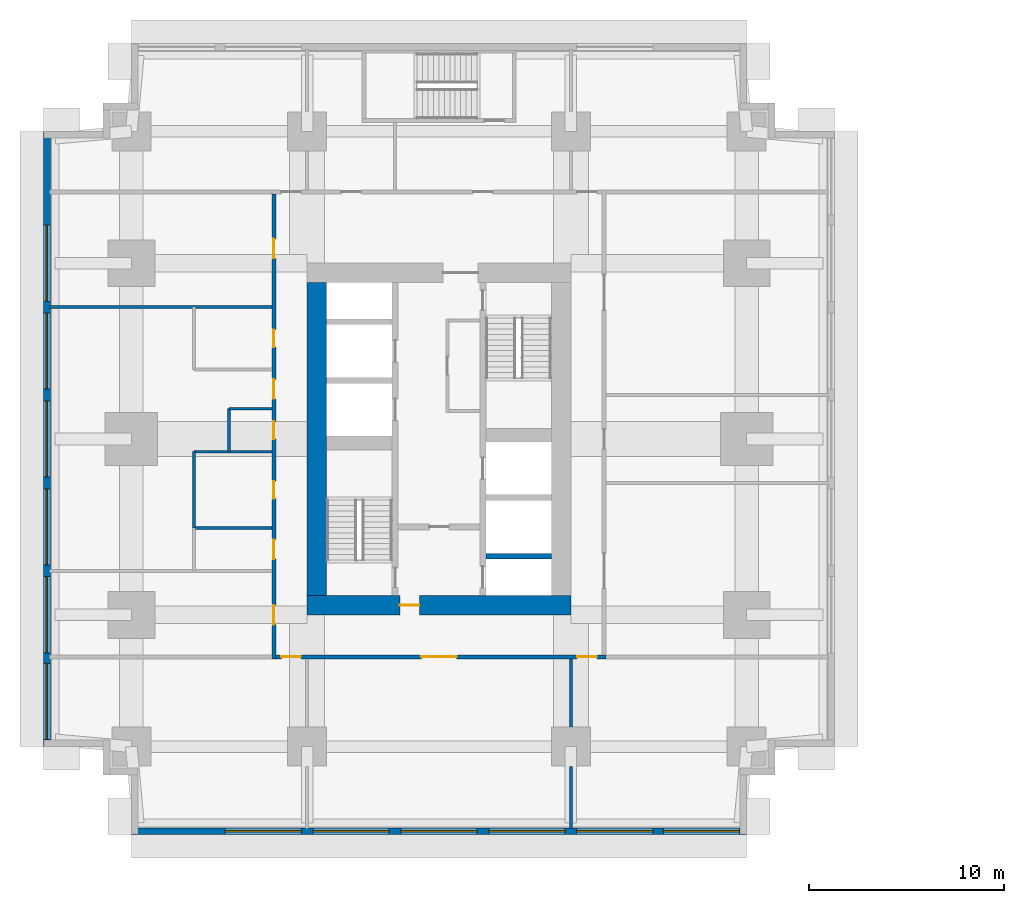
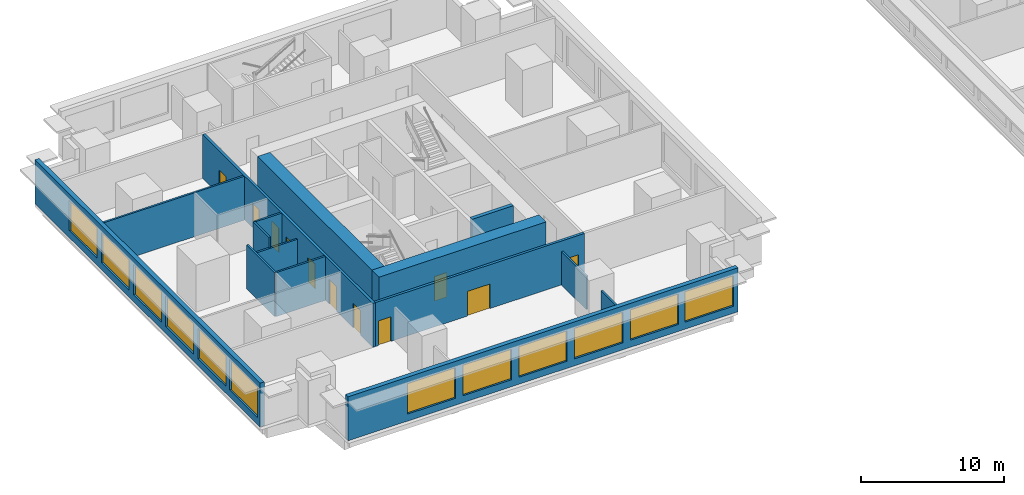
# One storey, part 3 of 11: 15 walls, 12 windows, 11 doors, 23 openings.
"""IFC4 building model written with IfcOpenShell, lengths in metres."""

from ifc_helpers import new_model, si_unit, direction, frame, frame_2d, origin, place, context, subcontext, project, spatial, rectangle, extrude, material, layer, layer_set, type_object, element, fill, save


model = new_model("IFC4")

# Units and contexts
model_context = context("Model", 3, precision=1e-05, world=origin(), true_north=direction((0.0, 1.0)))
body_context = subcontext(model_context, "Body", "Model", "MODEL_VIEW")
ifc_project = project(units=[si_unit("LENGTHUNIT", "METRE"), si_unit("AREAUNIT", "SQUARE_METRE"), si_unit("VOLUMEUNIT", "CUBIC_METRE"), si_unit("PLANEANGLEUNIT", "RADIAN"), si_unit("MASSUNIT", "GRAM", prefix="KILO")], contexts=[model_context])

# Site, building, storey
site_placement = place(None, origin())
site = spatial("IfcSite", under=ifc_project, at=site_placement, CompositionType="ELEMENT")
building_placement = place(site_placement, origin())
building = spatial("IfcBuilding", under=site, at=building_placement, Name="Namib Vertical Campus", CompositionType="ELEMENT")
storey_placement = place(building_placement, frame((0.0, 0.0, 57.0)))
storey = spatial("IfcBuildingStorey", under=building, at=storey_placement, Name="L13", CompositionType="ELEMENT", Elevation=57.0)

# Wall
ifc_material_1 = material(Name="Concrete C60/75", Category="concrete")
ifc_layer_1 = layer(ifc_material_1, 0.300048828125)
ifc_layer_set_1 = layer_set([ifc_layer_1], Name="Concrete C60/75")
wall_type_1 = type_object("IfcWallType", Name="Core inner wall 300", PredefinedType="SHEAR", material=ifc_layer_set_1)
wall_1_placement = place(storey_placement, frame((22.64990234375, 14.25, 0.0), z_axis=(0.0, 0.0, 1.0), x_axis=(1.0, 0.0, 0.0)))
element("IfcWall", 1, at=wall_1_placement, inside=storey, type_object=wall_type_1, Name="Core inner wall A L13 W5", PredefinedType="SHEAR", context=body_context, shape_type="SweptSolid", body=[
    extrude(rectangle(XDim=3.35009765625, YDim=0.300048828125, at=frame_2d((1.675048828125, 0.0))), origin(), (0.0, 0.0, 1.0), 4.0),
])

# Wall, opening, door
ifc_material_2 = material(Name="Concrete C60/75", Category="concrete")
ifc_layer_2 = layer(ifc_material_2, 1.0)
ifc_layer_set_2 = layer_set([ifc_layer_2], Name="Concrete C60/75")
wall_type_2 = type_object("IfcWallType", Name="Core wall 1000", PredefinedType="SHEAR", material=ifc_layer_set_2)
wall_2_placement = place(storey_placement, frame((13.5, 11.75, 0.0), z_axis=(0.0, 0.0, 1.0), x_axis=(1.0, 0.0, 0.0)))
wall_2 = element("IfcWall", 2, at=wall_2_placement, inside=storey, type_object=wall_type_2, Name="Core wall A L13 1", PredefinedType="SHEAR", context=body_context, shape_type="SweptSolid", body=[
    extrude(rectangle(XDim=13.5, YDim=1.0, at=frame_2d((6.75, 0.0))), origin(), (0.0, 0.0, 1.0), 4.0),
])
opening_1_placement = place(wall_2_placement, frame((4.75, 0.0, 0.0)))
opening_1 = element("IfcOpeningElement", 3, at=opening_1_placement, cuts=wall_2, Name="Opening FD5", PredefinedType="OPENING", context=body_context, shape_type="SweptSolid", body=[
    extrude(rectangle(XDim=1.0, YDim=2.10009765625, at=frame_2d((0.5, 1.050048828125))), frame((0.0, 0.510009765625, 0.0), z_axis=(0.0, -1.0, 0.0), x_axis=(1.0, 0.0, 0.0)), (0.0, 0.0, 1.0), 1.02001953125),
])
ifc_material_3 = material(Name="Steel fire door", Category="steel")
door_type_1 = type_object("IfcDoorType", Name="Fire door 1000x2100 120 min", OperationType="SINGLE_SWING_RIGHT", PredefinedType="DOOR", material=ifc_material_3)
door_1_placement = place(opening_1_placement, origin())
door_1 = element("IfcDoor", 4, at=door_1_placement, inside=storey, type_object=door_type_1, Name="Firefighting lobby door FD5 A L13", OperationType="SINGLE_SWING_LEFT", OverallHeight=2.10009765625, OverallWidth=1.0, PredefinedType="DOOR", context=body_context, shape_type="SweptSolid", body=[
    extrude(rectangle(XDim=1.0, YDim=2.10009765625, at=frame_2d((0.5, 1.050048828125))), frame((0.0, 0.02490234375, 0.0), z_axis=(0.0, -1.0, 0.0), x_axis=(1.0, 0.0, 0.0)), (0.0, 0.0, 1.0), 0.050048828125),
])
fill(opening_1, door_1)

# Wall
wall_3_placement = place(storey_placement, frame((14.0, 28.25, 0.0), z_axis=(0.0, 0.0, 1.0), x_axis=(0.0, -1.0, 0.0)))
element("IfcWall", 5, at=wall_3_placement, inside=storey, type_object=wall_type_2, Name="Core wall A L13 4", PredefinedType="SHEAR", context=body_context, shape_type="SweptSolid", body=[
    extrude(rectangle(XDim=16.0, YDim=1.0, at=frame_2d((8.0, 0.0))), origin(), (0.0, 0.0, 1.0), 4.0),
])

# Wall, openings, doors
ifc_material_4 = material(Name="Concrete masonry", Category="masonry")
ifc_layer_3 = layer(ifc_material_4, 0.199951171875)
ifc_layer_set_3 = layer_set([ifc_layer_3], Name="Corridor wall 200")
wall_type_3 = type_object("IfcWallType", Name="Corridor wall 200", PredefinedType="SOLIDWALL", material=ifc_layer_set_3)
wall_4_placement = place(storey_placement, frame((11.89990234375, 9.10009765625, 0.0), z_axis=(0.0, 0.0, 1.0), x_axis=(1.0, 0.0, 0.0)))
wall_4 = element("IfcWall", 6, at=wall_4_placement, inside=storey, type_object=wall_type_3, Name="Corridor wall A L13 CS", PredefinedType="SOLIDWALL", context=body_context, shape_type="SweptSolid", body=[
    extrude(rectangle(XDim=16.900146484375, YDim=0.199951171875, at=frame_2d((8.4501953125, 0.0))), origin(), (0.0, 0.0, 1.0), 3.75),
])
opening_2_placement = place(wall_4_placement, frame((0.27490234375, 0.0, 0.0)))
opening_2 = element("IfcOpeningElement", 7, at=opening_2_placement, cuts=wall_4, Name="Opening CD1", PredefinedType="OPENING", context=body_context, shape_type="SweptSolid", body=[
    extrude(rectangle(XDim=1.0, YDim=2.10009765625, at=frame_2d((0.5, 1.050048828125))), frame((0.0, 0.10986328125, 0.0), z_axis=(0.0, -1.0, 0.0), x_axis=(1.0, 0.0, 0.0)), (0.0, 0.0, 1.0), 0.219970703125),
])
opening_3_placement = place(wall_4_placement, frame((7.449951171875, 0.0, 0.0)))
opening_3 = element("IfcOpeningElement", 8, at=opening_3_placement, cuts=wall_4, Name="Opening CD2", PredefinedType="OPENING", context=body_context, shape_type="SweptSolid", body=[
    extrude(rectangle(XDim=1.800048828125, YDim=2.10009765625, at=frame_2d((0.89990234375, 1.050048828125))), frame((0.0, 0.10986328125, 0.0), z_axis=(0.0, -1.0, 0.0), x_axis=(1.0, 0.0, 0.0)), (0.0, 0.0, 1.0), 0.219970703125),
])
opening_4_placement = place(wall_4_placement, frame((15.425048828125, 0.0, 0.0)))
opening_4 = element("IfcOpeningElement", 9, at=opening_4_placement, cuts=wall_4, Name="Opening CD1", PredefinedType="OPENING", context=body_context, shape_type="SweptSolid", body=[
    extrude(rectangle(XDim=1.0, YDim=2.10009765625, at=frame_2d((0.5, 1.050048828125))), frame((0.0, 0.10986328125, 0.0), z_axis=(0.0, -1.0, 0.0), x_axis=(1.0, 0.0, 0.0)), (0.0, 0.0, 1.0), 0.219970703125),
])
ifc_material_5 = material(Name="Timber fire door leaf", Category="wood")
door_type_2 = type_object("IfcDoorType", Name="Corridor door 1000x2100 20 min", OperationType="SINGLE_SWING_LEFT", PredefinedType="DOOR", material=ifc_material_5)
door_2_placement = place(opening_2_placement, frame((1.0, 0.0, 0.0), z_axis=(0.0, 0.0, 1.0), x_axis=(-1.0, 0.0, 0.0)))
door_2 = element("IfcDoor", 10, at=door_2_placement, inside=storey, type_object=door_type_2, Name="Door CD1 A13-01", OperationType="SINGLE_SWING_LEFT", OverallHeight=2.10009765625, OverallWidth=1.0, PredefinedType="DOOR", context=body_context, shape_type="SweptSolid", body=[
    extrude(rectangle(XDim=1.0, YDim=2.10009765625, at=frame_2d((0.5, 1.050048828125))), frame((0.0, 0.02490234375, 0.0), z_axis=(0.0, -1.0, 0.0), x_axis=(1.0, 0.0, 0.0)), (0.0, 0.0, 1.0), 0.050048828125),
])
fill(opening_2, door_2)
door_3_placement = place(opening_4_placement, frame((1.0, 0.0, 0.0), z_axis=(0.0, 0.0, 1.0), x_axis=(-1.0, 0.0, 0.0)))
door_3 = element("IfcDoor", 11, at=door_3_placement, inside=storey, type_object=door_type_2, Name="Door CD1 A13-03", OperationType="SINGLE_SWING_RIGHT", OverallHeight=2.10009765625, OverallWidth=1.0, PredefinedType="DOOR", context=body_context, shape_type="SweptSolid", body=[
    extrude(rectangle(XDim=1.0, YDim=2.10009765625, at=frame_2d((0.5, 1.050048828125))), frame((0.0, 0.02490234375, 0.0), z_axis=(0.0, -1.0, 0.0), x_axis=(1.0, 0.0, 0.0)), (0.0, 0.0, 1.0), 0.050048828125),
])
fill(opening_4, door_3)
ifc_material_6 = material(Name="Timber fire door leaf", Category="wood")
door_type_3 = type_object("IfcDoorType", Name="Corridor door double 1800x2100 20 min", OperationType="DOUBLE_DOOR_SINGLE_SWING", PredefinedType="DOOR", material=ifc_material_6)
door_4_placement = place(opening_3_placement, frame((1.800048828125, 0.0, 0.0), z_axis=(0.0, 0.0, 1.0), x_axis=(-1.0, 0.0, 0.0)))
door_4 = element("IfcDoor", 12, at=door_4_placement, inside=storey, type_object=door_type_3, Name="Door CD2 A13-02", OperationType="DOUBLE_DOOR_SINGLE_SWING", OverallHeight=2.10009765625, OverallWidth=1.800048828125, PredefinedType="DOOR", context=body_context, shape_type="SweptSolid", body=[
    extrude(rectangle(XDim=1.800048828125, YDim=2.10009765625, at=frame_2d((0.89990234375, 1.050048828125))), frame((0.0, 0.02490234375, 0.0), z_axis=(0.0, -1.0, 0.0), x_axis=(1.0, 0.0, 0.0)), (0.0, 0.0, 1.0), 0.050048828125),
])
fill(opening_3, door_4)

wall_5_placement = place(storey_placement, frame((11.800048828125, 32.800048828125, 0.0), z_axis=(0.0, 0.0, 1.0), x_axis=(0.0, -1.0, 0.0)))
wall_5 = element("IfcWall", 13, at=wall_5_placement, inside=storey, type_object=wall_type_3, Name="Corridor wall A L13 CW", PredefinedType="SOLIDWALL", context=body_context, shape_type="SweptSolid", body=[
    extrude(rectangle(XDim=23.800048828125, YDim=0.199951171875, at=frame_2d((11.89990234375, 0.0))), origin(), (0.0, 0.0, 1.0), 3.75),
])
opening_5_placement = place(wall_5_placement, frame((21.050048828125, 0.0, 0.0)))
opening_5 = element("IfcOpeningElement", 14, at=opening_5_placement, cuts=wall_5, Name="Opening CD1", PredefinedType="OPENING", context=body_context, shape_type="SweptSolid", body=[
    extrude(rectangle(XDim=1.0, YDim=2.10009765625, at=frame_2d((0.5, 1.050048828125))), frame((0.0, 0.10986328125, 0.0), z_axis=(0.0, -1.0, 0.0), x_axis=(1.0, 0.0, 0.0)), (0.0, 0.0, 1.0), 0.219970703125),
])
opening_6_placement = place(wall_5_placement, frame((17.699951171875, 0.0, 0.0)))
opening_6 = element("IfcOpeningElement", 15, at=opening_6_placement, cuts=wall_5, Name="Opening CD1", PredefinedType="OPENING", context=body_context, shape_type="SweptSolid", body=[
    extrude(rectangle(XDim=1.0, YDim=2.10009765625, at=frame_2d((0.5, 1.050048828125))), frame((0.0, 0.10986328125, 0.0), z_axis=(0.0, -1.0, 0.0), x_axis=(1.0, 0.0, 0.0)), (0.0, 0.0, 1.0), 0.219970703125),
])
opening_7_placement = place(wall_5_placement, frame((14.699951171875, 0.0, 0.0)))
opening_7 = element("IfcOpeningElement", 16, at=opening_7_placement, cuts=wall_5, Name="Opening CD3", PredefinedType="OPENING", context=body_context, shape_type="SweptSolid", body=[
    extrude(rectangle(XDim=0.89990234375, YDim=2.10009765625, at=frame_2d((0.449951171875, 1.050048828125))), frame((0.0, 0.10986328125, 0.0), z_axis=(0.0, -1.0, 0.0), x_axis=(1.0, 0.0, 0.0)), (0.0, 0.0, 1.0), 0.219970703125),
])
opening_8_placement = place(wall_5_placement, frame((11.64990234375, 0.0, 0.0)))
opening_8 = element("IfcOpeningElement", 17, at=opening_8_placement, cuts=wall_5, Name="Opening CD3", PredefinedType="OPENING", context=body_context, shape_type="SweptSolid", body=[
    extrude(rectangle(XDim=0.89990234375, YDim=2.10009765625, at=frame_2d((0.449951171875, 1.050048828125))), frame((0.0, 0.10986328125, 0.0), z_axis=(0.0, -1.0, 0.0), x_axis=(1.0, 0.0, 0.0)), (0.0, 0.0, 1.0), 0.219970703125),
])
opening_9_placement = place(wall_5_placement, frame((6.949951171875, 0.0, 0.0)))
opening_9 = element("IfcOpeningElement", 18, at=opening_9_placement, cuts=wall_5, Name="Opening CD3", PredefinedType="OPENING", context=body_context, shape_type="SweptSolid", body=[
    extrude(rectangle(XDim=0.89990234375, YDim=2.10009765625, at=frame_2d((0.449951171875, 1.050048828125))), frame((0.0, 0.10986328125, 0.0), z_axis=(0.0, -1.0, 0.0), x_axis=(1.0, 0.0, 0.0)), (0.0, 0.0, 1.0), 0.219970703125),
])
opening_10_placement = place(wall_5_placement, frame((9.5, 0.0, 0.0)))
opening_10 = element("IfcOpeningElement", 19, at=opening_10_placement, cuts=wall_5, Name="Opening CD1", PredefinedType="OPENING", context=body_context, shape_type="SweptSolid", body=[
    extrude(rectangle(XDim=1.0, YDim=2.10009765625, at=frame_2d((0.5, 1.050048828125))), frame((0.0, 0.10986328125, 0.0), z_axis=(0.0, -1.0, 0.0), x_axis=(1.0, 0.0, 0.0)), (0.0, 0.0, 1.0), 0.219970703125),
])
opening_11_placement = place(wall_5_placement, frame((2.300048828125, 0.0, 0.0)))
opening_11 = element("IfcOpeningElement", 20, at=opening_11_placement, cuts=wall_5, Name="Opening CD1", PredefinedType="OPENING", context=body_context, shape_type="SweptSolid", body=[
    extrude(rectangle(XDim=1.0, YDim=2.10009765625, at=frame_2d((0.5, 1.050048828125))), frame((0.0, 0.10986328125, 0.0), z_axis=(0.0, -1.0, 0.0), x_axis=(1.0, 0.0, 0.0)), (0.0, 0.0, 1.0), 0.219970703125),
])
door_5_placement = place(opening_5_placement, frame((1.0, 0.0, 0.0), z_axis=(0.0, 0.0, 1.0), x_axis=(-1.0, 0.0, 0.0)))
door_5 = element("IfcDoor", 21, at=door_5_placement, inside=storey, type_object=door_type_2, Name="Door CD1 A13-11", OperationType="SINGLE_SWING_RIGHT", OverallHeight=2.10009765625, OverallWidth=1.0, PredefinedType="DOOR", context=body_context, shape_type="SweptSolid", body=[
    extrude(rectangle(XDim=1.0, YDim=2.10009765625, at=frame_2d((0.5, 1.050048828125))), frame((0.0, 0.02490234375, 0.0), z_axis=(0.0, -1.0, 0.0), x_axis=(1.0, 0.0, 0.0)), (0.0, 0.0, 1.0), 0.050048828125),
])
fill(opening_5, door_5)
door_6_placement = place(opening_6_placement, frame((1.0, 0.0, 0.0), z_axis=(0.0, 0.0, 1.0), x_axis=(-1.0, 0.0, 0.0)))
door_6 = element("IfcDoor", 22, at=door_6_placement, inside=storey, type_object=door_type_2, Name="Door CD1 A13-12", OperationType="SINGLE_SWING_RIGHT", OverallHeight=2.10009765625, OverallWidth=1.0, PredefinedType="DOOR", context=body_context, shape_type="SweptSolid", body=[
    extrude(rectangle(XDim=1.0, YDim=2.10009765625, at=frame_2d((0.5, 1.050048828125))), frame((0.0, 0.02490234375, 0.0), z_axis=(0.0, -1.0, 0.0), x_axis=(1.0, 0.0, 0.0)), (0.0, 0.0, 1.0), 0.050048828125),
])
fill(opening_6, door_6)
door_7_placement = place(opening_10_placement, frame((1.0, 0.0, 0.0), z_axis=(0.0, 0.0, 1.0), x_axis=(-1.0, 0.0, 0.0)))
door_7 = element("IfcDoor", 23, at=door_7_placement, inside=storey, type_object=door_type_2, Name="Door CD1 A13-16", OperationType="SINGLE_SWING_RIGHT", OverallHeight=2.10009765625, OverallWidth=1.0, PredefinedType="DOOR", context=body_context, shape_type="SweptSolid", body=[
    extrude(rectangle(XDim=1.0, YDim=2.10009765625, at=frame_2d((0.5, 1.050048828125))), frame((0.0, 0.02490234375, 0.0), z_axis=(0.0, -1.0, 0.0), x_axis=(1.0, 0.0, 0.0)), (0.0, 0.0, 1.0), 0.050048828125),
])
fill(opening_10, door_7)
door_8_placement = place(opening_11_placement, frame((1.0, 0.0, 0.0), z_axis=(0.0, 0.0, 1.0), x_axis=(-1.0, 0.0, 0.0)))
door_8 = element("IfcDoor", 24, at=door_8_placement, inside=storey, type_object=door_type_2, Name="Door CD1 A13-17", OperationType="SINGLE_SWING_RIGHT", OverallHeight=2.10009765625, OverallWidth=1.0, PredefinedType="DOOR", context=body_context, shape_type="SweptSolid", body=[
    extrude(rectangle(XDim=1.0, YDim=2.10009765625, at=frame_2d((0.5, 1.050048828125))), frame((0.0, 0.02490234375, 0.0), z_axis=(0.0, -1.0, 0.0), x_axis=(1.0, 0.0, 0.0)), (0.0, 0.0, 1.0), 0.050048828125),
])
fill(opening_11, door_8)
ifc_material_7 = material(Name="Timber fire door leaf", Category="wood")
door_type_4 = type_object("IfcDoorType", Name="Corridor toilet door 900x2100 20 min", OperationType="SINGLE_SWING_LEFT", PredefinedType="DOOR", material=ifc_material_7)
door_9_placement = place(opening_7_placement, frame((0.89990234375, 0.0, 0.0), z_axis=(0.0, 0.0, 1.0), x_axis=(-1.0, 0.0, 0.0)))
door_9 = element("IfcDoor", 25, at=door_9_placement, inside=storey, type_object=door_type_4, Name="Door CD3 A13-13", OperationType="SINGLE_SWING_RIGHT", OverallHeight=2.10009765625, OverallWidth=0.89990234375, PredefinedType="DOOR", context=body_context, shape_type="SweptSolid", body=[
    extrude(rectangle(XDim=0.89990234375, YDim=2.10009765625, at=frame_2d((0.449951171875, 1.050048828125))), frame((0.0, 0.02490234375, 0.0), z_axis=(0.0, -1.0, 0.0), x_axis=(1.0, 0.0, 0.0)), (0.0, 0.0, 1.0), 0.050048828125),
])
fill(opening_7, door_9)
door_10_placement = place(opening_8_placement, frame((0.89990234375, 0.0, 0.0), z_axis=(0.0, 0.0, 1.0), x_axis=(-1.0, 0.0, 0.0)))
door_10 = element("IfcDoor", 26, at=door_10_placement, inside=storey, type_object=door_type_4, Name="Door CD3 A13-14", OperationType="SINGLE_SWING_RIGHT", OverallHeight=2.10009765625, OverallWidth=0.89990234375, PredefinedType="DOOR", context=body_context, shape_type="SweptSolid", body=[
    extrude(rectangle(XDim=0.89990234375, YDim=2.10009765625, at=frame_2d((0.449951171875, 1.050048828125))), frame((0.0, 0.02490234375, 0.0), z_axis=(0.0, -1.0, 0.0), x_axis=(1.0, 0.0, 0.0)), (0.0, 0.0, 1.0), 0.050048828125),
])
fill(opening_8, door_10)
door_11_placement = place(opening_9_placement, frame((0.89990234375, 0.0, 0.0), z_axis=(0.0, 0.0, 1.0), x_axis=(-1.0, 0.0, 0.0)))
door_11 = element("IfcDoor", 27, at=door_11_placement, inside=storey, type_object=door_type_4, Name="Door CD3 A13-15", OperationType="SINGLE_SWING_RIGHT", OverallHeight=2.10009765625, OverallWidth=0.89990234375, PredefinedType="DOOR", context=body_context, shape_type="SweptSolid", body=[
    extrude(rectangle(XDim=0.89990234375, YDim=2.10009765625, at=frame_2d((0.449951171875, 1.050048828125))), frame((0.0, 0.02490234375, 0.0), z_axis=(0.0, -1.0, 0.0), x_axis=(1.0, 0.0, 0.0)), (0.0, 0.0, 1.0), 0.050048828125),
])
fill(opening_9, door_11)

# Wall, openings, windows
ifc_material_8 = material(Name="Concrete C40/50", Category="concrete")
ifc_layer_4 = layer(ifc_material_8, 0.35009765625)
ifc_layer_set_4 = layer_set([ifc_layer_4], Name="Concrete C40/50")
wall_type_4 = type_object("IfcWallType", Name="External wall 350 bush-hammered concrete", PredefinedType="STANDARD", material=ifc_layer_set_4)
wall_6_placement = place(storey_placement, frame((4.52001953125, 0.175048828125, 0.0), z_axis=(0.0, 0.0, 1.0), x_axis=(1.0, 0.0, 0.0)))
wall_6 = element("IfcWall", 28, at=wall_6_placement, inside=storey, type_object=wall_type_4, Name="External wall L13 F01", PredefinedType="STANDARD", context=body_context, shape_type="SweptSolid", body=[
    extrude(rectangle(XDim=31.4599609375, YDim=0.35009765625, at=frame_2d((15.72998046875, 0.0))), origin(), (0.0, 0.0, 1.0), 3.75),
])
opening_12_placement = place(wall_6_placement, frame((4.780029296875, 0.0, 0.60009765625)))
opening_12 = element("IfcOpeningElement", 29, at=opening_12_placement, cuts=wall_6, Name="Opening W2", PredefinedType="OPENING", context=body_context, shape_type="SweptSolid", body=[
    extrude(rectangle(XDim=3.89990234375, YDim=2.60009765625, at=frame_2d((1.949951171875, 1.300048828125))), frame((0.0, 0.18505859375, 0.0), z_axis=(0.0, -1.0, 0.0), x_axis=(1.0, 0.0, 0.0)), (0.0, 0.0, 1.0), 0.3701171875),
])
opening_13_placement = place(wall_6_placement, frame((9.280029296875, 0.0, 0.60009765625)))
opening_13 = element("IfcOpeningElement", 30, at=opening_13_placement, cuts=wall_6, Name="Opening W2", PredefinedType="OPENING", context=body_context, shape_type="SweptSolid", body=[
    extrude(rectangle(XDim=3.89990234375, YDim=2.60009765625, at=frame_2d((1.949951171875, 1.300048828125))), frame((0.0, 0.18505859375, 0.0), z_axis=(0.0, -1.0, 0.0), x_axis=(1.0, 0.0, 0.0)), (0.0, 0.0, 1.0), 0.3701171875),
])
opening_14_placement = place(wall_6_placement, frame((13.780029296875, 0.0, 0.60009765625)))
opening_14 = element("IfcOpeningElement", 31, at=opening_14_placement, cuts=wall_6, Name="Opening W2", PredefinedType="OPENING", context=body_context, shape_type="SweptSolid", body=[
    extrude(rectangle(XDim=3.89990234375, YDim=2.60009765625, at=frame_2d((1.949951171875, 1.300048828125))), frame((0.0, 0.18505859375, 0.0), z_axis=(0.0, -1.0, 0.0), x_axis=(1.0, 0.0, 0.0)), (0.0, 0.0, 1.0), 0.3701171875),
])
opening_15_placement = place(wall_6_placement, frame((18.280029296875, 0.0, 0.60009765625)))
opening_15 = element("IfcOpeningElement", 32, at=opening_15_placement, cuts=wall_6, Name="Opening W2", PredefinedType="OPENING", context=body_context, shape_type="SweptSolid", body=[
    extrude(rectangle(XDim=3.89990234375, YDim=2.60009765625, at=frame_2d((1.949951171875, 1.300048828125))), frame((0.0, 0.18505859375, 0.0), z_axis=(0.0, -1.0, 0.0), x_axis=(1.0, 0.0, 0.0)), (0.0, 0.0, 1.0), 0.3701171875),
])
opening_16_placement = place(wall_6_placement, frame((22.780029296875, 0.0, 0.60009765625)))
opening_16 = element("IfcOpeningElement", 33, at=opening_16_placement, cuts=wall_6, Name="Opening W2", PredefinedType="OPENING", context=body_context, shape_type="SweptSolid", body=[
    extrude(rectangle(XDim=3.89990234375, YDim=2.60009765625, at=frame_2d((1.949951171875, 1.300048828125))), frame((0.0, 0.18505859375, 0.0), z_axis=(0.0, -1.0, 0.0), x_axis=(1.0, 0.0, 0.0)), (0.0, 0.0, 1.0), 0.3701171875),
])
opening_17_placement = place(wall_6_placement, frame((27.2099609375, 0.0, 0.60009765625)))
opening_17 = element("IfcOpeningElement", 34, at=opening_17_placement, cuts=wall_6, Name="Opening W2", PredefinedType="OPENING", context=body_context, shape_type="SweptSolid", body=[
    extrude(rectangle(XDim=3.89990234375, YDim=2.60009765625, at=frame_2d((1.949951171875, 1.300048828125))), frame((0.0, 0.18505859375, 0.0), z_axis=(0.0, -1.0, 0.0), x_axis=(1.0, 0.0, 0.0)), (0.0, 0.0, 1.0), 0.3701171875),
])
ifc_material_9 = material(Name="Dark tinted glass in black aluminium frame", Category="aluminium")
window_type = type_object("IfcWindowType", Name="Ribbon window 3900x2600", PartitioningType="SINGLE_PANEL", PredefinedType="WINDOW", material=ifc_material_9)
window_1_placement = place(opening_12_placement, origin())
window_1 = element("IfcWindow", 35, at=window_1_placement, inside=storey, type_object=window_type, Name="Window W2 L13 F01-2", OverallHeight=2.60009765625, OverallWidth=3.89990234375, PartitioningType="SINGLE_PANEL", PredefinedType="WINDOW", context=body_context, shape_type="SweptSolid", body=[
    extrude(rectangle(XDim=3.89990234375, YDim=2.60009765625, at=frame_2d((1.949951171875, 1.300048828125))), frame((0.0, 0.030029296875, 0.0), z_axis=(0.0, -1.0, 0.0), x_axis=(1.0, 0.0, 0.0)), (0.0, 0.0, 1.0), 0.06005859375),
])
fill(opening_12, window_1)
window_2_placement = place(opening_13_placement, origin())
window_2 = element("IfcWindow", 36, at=window_2_placement, inside=storey, type_object=window_type, Name="Window W2 L13 F01-3", OverallHeight=2.60009765625, OverallWidth=3.89990234375, PartitioningType="SINGLE_PANEL", PredefinedType="WINDOW", context=body_context, shape_type="SweptSolid", body=[
    extrude(rectangle(XDim=3.89990234375, YDim=2.60009765625, at=frame_2d((1.949951171875, 1.300048828125))), frame((0.0, 0.030029296875, 0.0), z_axis=(0.0, -1.0, 0.0), x_axis=(1.0, 0.0, 0.0)), (0.0, 0.0, 1.0), 0.06005859375),
])
fill(opening_13, window_2)
window_3_placement = place(opening_14_placement, origin())
window_3 = element("IfcWindow", 37, at=window_3_placement, inside=storey, type_object=window_type, Name="Window W2 L13 F01-4", OverallHeight=2.60009765625, OverallWidth=3.89990234375, PartitioningType="SINGLE_PANEL", PredefinedType="WINDOW", context=body_context, shape_type="SweptSolid", body=[
    extrude(rectangle(XDim=3.89990234375, YDim=2.60009765625, at=frame_2d((1.949951171875, 1.300048828125))), frame((0.0, 0.030029296875, 0.0), z_axis=(0.0, -1.0, 0.0), x_axis=(1.0, 0.0, 0.0)), (0.0, 0.0, 1.0), 0.06005859375),
])
fill(opening_14, window_3)
window_4_placement = place(opening_15_placement, origin())
window_4 = element("IfcWindow", 38, at=window_4_placement, inside=storey, type_object=window_type, Name="Window W2 L13 F01-5", OverallHeight=2.60009765625, OverallWidth=3.89990234375, PartitioningType="SINGLE_PANEL", PredefinedType="WINDOW", context=body_context, shape_type="SweptSolid", body=[
    extrude(rectangle(XDim=3.89990234375, YDim=2.60009765625, at=frame_2d((1.949951171875, 1.300048828125))), frame((0.0, 0.030029296875, 0.0), z_axis=(0.0, -1.0, 0.0), x_axis=(1.0, 0.0, 0.0)), (0.0, 0.0, 1.0), 0.06005859375),
])
fill(opening_15, window_4)
window_5_placement = place(opening_16_placement, origin())
window_5 = element("IfcWindow", 39, at=window_5_placement, inside=storey, type_object=window_type, Name="Window W2 L13 F01-6", OverallHeight=2.60009765625, OverallWidth=3.89990234375, PartitioningType="SINGLE_PANEL", PredefinedType="WINDOW", context=body_context, shape_type="SweptSolid", body=[
    extrude(rectangle(XDim=3.89990234375, YDim=2.60009765625, at=frame_2d((1.949951171875, 1.300048828125))), frame((0.0, 0.030029296875, 0.0), z_axis=(0.0, -1.0, 0.0), x_axis=(1.0, 0.0, 0.0)), (0.0, 0.0, 1.0), 0.06005859375),
])
fill(opening_16, window_5)
window_6_placement = place(opening_17_placement, origin())
window_6 = element("IfcWindow", 40, at=window_6_placement, inside=storey, type_object=window_type, Name="Window W2 L13 F01-7", OverallHeight=2.60009765625, OverallWidth=3.89990234375, PartitioningType="SINGLE_PANEL", PredefinedType="WINDOW", context=body_context, shape_type="SweptSolid", body=[
    extrude(rectangle(XDim=3.89990234375, YDim=2.60009765625, at=frame_2d((1.949951171875, 1.300048828125))), frame((0.0, 0.030029296875, 0.0), z_axis=(0.0, -1.0, 0.0), x_axis=(1.0, 0.0, 0.0)), (0.0, 0.0, 1.0), 0.06005859375),
])
fill(opening_17, window_6)

wall_7_placement = place(storey_placement, frame((0.175048828125, 35.97998046875, 0.0), z_axis=(0.0, 0.0, 1.0), x_axis=(0.0, -1.0, 0.0)))
wall_7 = element("IfcWall", 41, at=wall_7_placement, inside=storey, type_object=wall_type_4, Name="External wall L13 F16", PredefinedType="STANDARD", context=body_context, shape_type="SweptSolid", body=[
    extrude(rectangle(XDim=31.4599609375, YDim=0.35009765625, at=frame_2d((15.72998046875, 0.0))), origin(), (0.0, 0.0, 1.0), 3.75),
])
opening_18_placement = place(wall_7_placement, frame((27.2099609375, 0.0, 0.60009765625)))
opening_18 = element("IfcOpeningElement", 42, at=opening_18_placement, cuts=wall_7, Name="Opening W2", PredefinedType="OPENING", context=body_context, shape_type="SweptSolid", body=[
    extrude(rectangle(XDim=3.89990234375, YDim=2.60009765625, at=frame_2d((1.949951171875, 1.300048828125))), frame((0.0, 0.18505859375, 0.0), z_axis=(0.0, -1.0, 0.0), x_axis=(1.0, 0.0, 0.0)), (0.0, 0.0, 1.0), 0.3701171875),
])
opening_19_placement = place(wall_7_placement, frame((22.780029296875, 0.0, 0.60009765625)))
opening_19 = element("IfcOpeningElement", 43, at=opening_19_placement, cuts=wall_7, Name="Opening W2", PredefinedType="OPENING", context=body_context, shape_type="SweptSolid", body=[
    extrude(rectangle(XDim=3.89990234375, YDim=2.60009765625, at=frame_2d((1.949951171875, 1.300048828125))), frame((0.0, 0.18505859375, 0.0), z_axis=(0.0, -1.0, 0.0), x_axis=(1.0, 0.0, 0.0)), (0.0, 0.0, 1.0), 0.3701171875),
])
opening_20_placement = place(wall_7_placement, frame((18.280029296875, 0.0, 0.60009765625)))
opening_20 = element("IfcOpeningElement", 44, at=opening_20_placement, cuts=wall_7, Name="Opening W2", PredefinedType="OPENING", context=body_context, shape_type="SweptSolid", body=[
    extrude(rectangle(XDim=3.89990234375, YDim=2.60009765625, at=frame_2d((1.949951171875, 1.300048828125))), frame((0.0, 0.18505859375, 0.0), z_axis=(0.0, -1.0, 0.0), x_axis=(1.0, 0.0, 0.0)), (0.0, 0.0, 1.0), 0.3701171875),
])
opening_21_placement = place(wall_7_placement, frame((13.780029296875, 0.0, 0.60009765625)))
opening_21 = element("IfcOpeningElement", 45, at=opening_21_placement, cuts=wall_7, Name="Opening W2", PredefinedType="OPENING", context=body_context, shape_type="SweptSolid", body=[
    extrude(rectangle(XDim=3.89990234375, YDim=2.60009765625, at=frame_2d((1.949951171875, 1.300048828125))), frame((0.0, 0.18505859375, 0.0), z_axis=(0.0, -1.0, 0.0), x_axis=(1.0, 0.0, 0.0)), (0.0, 0.0, 1.0), 0.3701171875),
])
opening_22_placement = place(wall_7_placement, frame((9.280029296875, 0.0, 0.60009765625)))
opening_22 = element("IfcOpeningElement", 46, at=opening_22_placement, cuts=wall_7, Name="Opening W2", PredefinedType="OPENING", context=body_context, shape_type="SweptSolid", body=[
    extrude(rectangle(XDim=3.89990234375, YDim=2.60009765625, at=frame_2d((1.949951171875, 1.300048828125))), frame((0.0, 0.18505859375, 0.0), z_axis=(0.0, -1.0, 0.0), x_axis=(1.0, 0.0, 0.0)), (0.0, 0.0, 1.0), 0.3701171875),
])
opening_23_placement = place(wall_7_placement, frame((4.780029296875, 0.0, 0.60009765625)))
opening_23 = element("IfcOpeningElement", 47, at=opening_23_placement, cuts=wall_7, Name="Opening W2", PredefinedType="OPENING", context=body_context, shape_type="SweptSolid", body=[
    extrude(rectangle(XDim=3.89990234375, YDim=2.60009765625, at=frame_2d((1.949951171875, 1.300048828125))), frame((0.0, 0.18505859375, 0.0), z_axis=(0.0, -1.0, 0.0), x_axis=(1.0, 0.0, 0.0)), (0.0, 0.0, 1.0), 0.3701171875),
])
window_7_placement = place(opening_18_placement, origin())
window_7 = element("IfcWindow", 48, at=window_7_placement, inside=storey, type_object=window_type, Name="Window W2 L13 F16-1", OverallHeight=2.60009765625, OverallWidth=3.89990234375, PartitioningType="SINGLE_PANEL", PredefinedType="WINDOW", context=body_context, shape_type="SweptSolid", body=[
    extrude(rectangle(XDim=3.89990234375, YDim=2.60009765625, at=frame_2d((1.949951171875, 1.300048828125))), frame((0.0, 0.030029296875, 0.0), z_axis=(0.0, -1.0, 0.0), x_axis=(1.0, 0.0, 0.0)), (0.0, 0.0, 1.0), 0.06005859375),
])
fill(opening_18, window_7)
window_8_placement = place(opening_19_placement, origin())
window_8 = element("IfcWindow", 49, at=window_8_placement, inside=storey, type_object=window_type, Name="Window W2 L13 F16-2", OverallHeight=2.60009765625, OverallWidth=3.89990234375, PartitioningType="SINGLE_PANEL", PredefinedType="WINDOW", context=body_context, shape_type="SweptSolid", body=[
    extrude(rectangle(XDim=3.89990234375, YDim=2.60009765625, at=frame_2d((1.949951171875, 1.300048828125))), frame((0.0, 0.030029296875, 0.0), z_axis=(0.0, -1.0, 0.0), x_axis=(1.0, 0.0, 0.0)), (0.0, 0.0, 1.0), 0.06005859375),
])
fill(opening_19, window_8)
window_9_placement = place(opening_20_placement, origin())
window_9 = element("IfcWindow", 50, at=window_9_placement, inside=storey, type_object=window_type, Name="Window W2 L13 F16-3", OverallHeight=2.60009765625, OverallWidth=3.89990234375, PartitioningType="SINGLE_PANEL", PredefinedType="WINDOW", context=body_context, shape_type="SweptSolid", body=[
    extrude(rectangle(XDim=3.89990234375, YDim=2.60009765625, at=frame_2d((1.949951171875, 1.300048828125))), frame((0.0, 0.030029296875, 0.0), z_axis=(0.0, -1.0, 0.0), x_axis=(1.0, 0.0, 0.0)), (0.0, 0.0, 1.0), 0.06005859375),
])
fill(opening_20, window_9)
window_10_placement = place(opening_21_placement, origin())
window_10 = element("IfcWindow", 51, at=window_10_placement, inside=storey, type_object=window_type, Name="Window W2 L13 F16-4", OverallHeight=2.60009765625, OverallWidth=3.89990234375, PartitioningType="SINGLE_PANEL", PredefinedType="WINDOW", context=body_context, shape_type="SweptSolid", body=[
    extrude(rectangle(XDim=3.89990234375, YDim=2.60009765625, at=frame_2d((1.949951171875, 1.300048828125))), frame((0.0, 0.030029296875, 0.0), z_axis=(0.0, -1.0, 0.0), x_axis=(1.0, 0.0, 0.0)), (0.0, 0.0, 1.0), 0.06005859375),
])
fill(opening_21, window_10)
window_11_placement = place(opening_22_placement, origin())
window_11 = element("IfcWindow", 52, at=window_11_placement, inside=storey, type_object=window_type, Name="Window W2 L13 F16-5", OverallHeight=2.60009765625, OverallWidth=3.89990234375, PartitioningType="SINGLE_PANEL", PredefinedType="WINDOW", context=body_context, shape_type="SweptSolid", body=[
    extrude(rectangle(XDim=3.89990234375, YDim=2.60009765625, at=frame_2d((1.949951171875, 1.300048828125))), frame((0.0, 0.030029296875, 0.0), z_axis=(0.0, -1.0, 0.0), x_axis=(1.0, 0.0, 0.0)), (0.0, 0.0, 1.0), 0.06005859375),
])
fill(opening_22, window_11)
window_12_placement = place(opening_23_placement, origin())
window_12 = element("IfcWindow", 53, at=window_12_placement, inside=storey, type_object=window_type, Name="Window W2 L13 F16-6", OverallHeight=2.60009765625, OverallWidth=3.89990234375, PartitioningType="SINGLE_PANEL", PredefinedType="WINDOW", context=body_context, shape_type="SweptSolid", body=[
    extrude(rectangle(XDim=3.89990234375, YDim=2.60009765625, at=frame_2d((1.949951171875, 1.300048828125))), frame((0.0, 0.030029296875, 0.0), z_axis=(0.0, -1.0, 0.0), x_axis=(1.0, 0.0, 0.0)), (0.0, 0.0, 1.0), 0.06005859375),
])
fill(opening_23, window_12)

# Walls
ifc_material_10 = material(Name="Gypsum board on steel studs", Category="steel")
ifc_layer_5 = layer(ifc_material_10, 0.14990234375)
ifc_layer_set_5 = layer_set([ifc_layer_5], Name="Gypsum board on steel studs")
wall_type_5 = type_object("IfcWallType", Name="Partition 150", PredefinedType="PARTITIONING", material=ifc_layer_set_5)
wall_8_placement = place(storey_placement, frame((27.0, 0.300048828125, 0.0), z_axis=(0.0, 0.0, 1.0), x_axis=(0.0, 1.0, 0.0)))
element("IfcWall", 54, at=wall_8_placement, inside=storey, type_object=wall_type_5, Name="Partition A L13 PS2", PredefinedType="PARTITIONING", context=body_context, shape_type="SweptSolid", body=[
    extrude(rectangle(XDim=3.179931640625, YDim=0.14990234375, at=frame_2d((1.58984375, 0.0))), origin(), (0.0, 0.0, 1.0), 2.85009765625),
])
wall_9_placement = place(storey_placement, frame((27.0, 5.52001953125, 0.0), z_axis=(0.0, 0.0, 1.0), x_axis=(0.0, 1.0, 0.0)))
element("IfcWall", 55, at=wall_9_placement, inside=storey, type_object=wall_type_5, Name="Partition A L13 PS2", PredefinedType="PARTITIONING", context=body_context, shape_type="SweptSolid", body=[
    extrude(rectangle(XDim=3.47998046875, YDim=0.14990234375, at=frame_2d((1.739990234375, 0.0))), origin(), (0.0, 0.0, 1.0), 2.85009765625),
])
wall_10_placement = place(storey_placement, frame((0.300048828125, 27.0, 0.0), z_axis=(0.0, 0.0, 1.0), x_axis=(1.0, 0.0, 0.0)))
element("IfcWall", 56, at=wall_10_placement, inside=storey, type_object=wall_type_5, Name="Partition A L13 PW2", PredefinedType="PARTITIONING", context=body_context, shape_type="SweptSolid", body=[
    extrude(rectangle(XDim=11.39990234375, YDim=0.14990234375, at=frame_2d((5.699951171875, 0.0))), origin(), (0.0, 0.0, 1.0), 3.75),
])
wall_11_placement = place(storey_placement, frame((11.699951171875, 15.699951171875, 0.0), z_axis=(0.0, 0.0, 1.0), x_axis=(-1.0, 0.0, 0.0)))
element("IfcWall", 57, at=wall_11_placement, inside=storey, type_object=wall_type_5, Name="Partition A L13 WR1", PredefinedType="PARTITIONING", context=body_context, shape_type="SweptSolid", body=[
    extrude(rectangle(XDim=4.0, YDim=0.14990234375, at=frame_2d((2.0, 0.0))), origin(), (0.0, 0.0, 1.0), 3.75),
])
wall_12_placement = place(storey_placement, frame((11.699951171875, 19.60009765625, 0.0), z_axis=(0.0, 0.0, 1.0), x_axis=(-1.0, 0.0, 0.0)))
element("IfcWall", 58, at=wall_12_placement, inside=storey, type_object=wall_type_5, Name="Partition A L13 WR2", PredefinedType="PARTITIONING", context=body_context, shape_type="SweptSolid", body=[
    extrude(rectangle(XDim=4.0, YDim=0.14990234375, at=frame_2d((2.0, 0.0))), origin(), (0.0, 0.0, 1.0), 2.85009765625),
])
wall_13_placement = place(storey_placement, frame((11.699951171875, 21.800048828125, 0.0), z_axis=(0.0, 0.0, 1.0), x_axis=(-1.0, 0.0, 0.0)))
element("IfcWall", 59, at=wall_13_placement, inside=storey, type_object=wall_type_5, Name="Partition A L13 WR3", PredefinedType="PARTITIONING", context=body_context, shape_type="SweptSolid", body=[
    extrude(rectangle(XDim=2.199951171875, YDim=0.14990234375, at=frame_2d((1.10009765625, 0.0))), origin(), (0.0, 0.0, 1.0), 3.75),
])
wall_14_placement = place(storey_placement, frame((7.699951171875, 15.699951171875, 0.0), z_axis=(0.0, 0.0, 1.0), x_axis=(0.0, 1.0, 0.0)))
element("IfcWall", 60, at=wall_14_placement, inside=storey, type_object=wall_type_5, Name="Partition A L13 WB2", PredefinedType="PARTITIONING", context=body_context, shape_type="SweptSolid", body=[
    extrude(rectangle(XDim=3.900146484375, YDim=0.14990234375, at=frame_2d((1.9501953125, 0.0))), origin(), (0.0, 0.0, 1.0), 3.75),
])
wall_15_placement = place(storey_placement, frame((9.5, 19.60009765625, 0.0), z_axis=(0.0, 0.0, 1.0), x_axis=(0.0, 1.0, 0.0)))
element("IfcWall", 61, at=wall_15_placement, inside=storey, type_object=wall_type_5, Name="Partition A L13 WB3", PredefinedType="PARTITIONING", context=body_context, shape_type="SweptSolid", body=[
    extrude(rectangle(XDim=2.199951171875, YDim=0.14990234375, at=frame_2d((1.10009765625, 0.0))), origin(), (0.0, 0.0, 1.0), 3.75),
])

save(model, "model.ifc")
